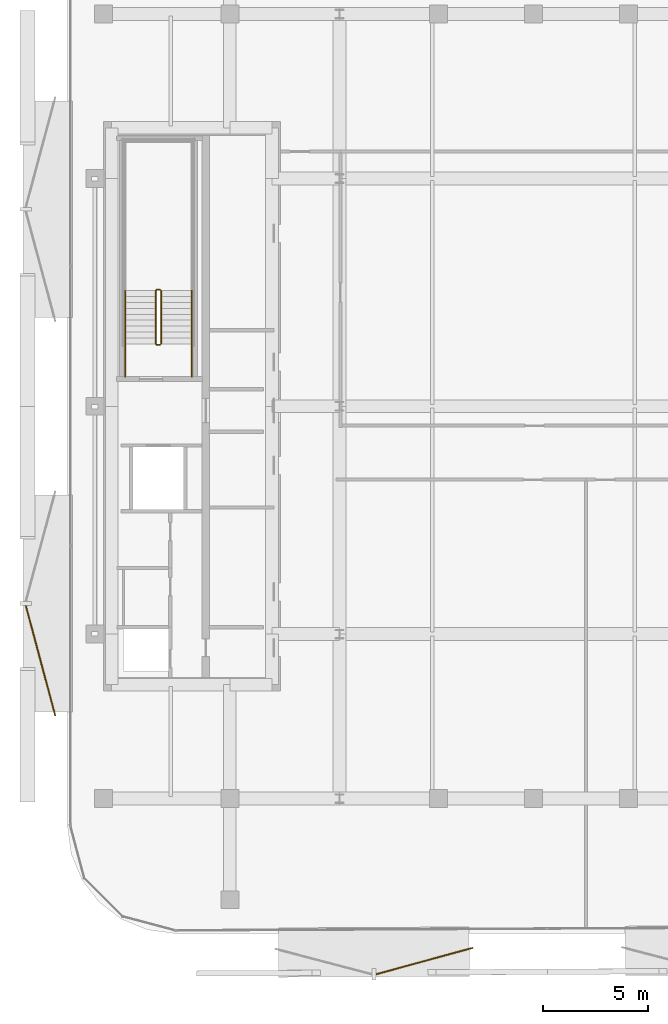
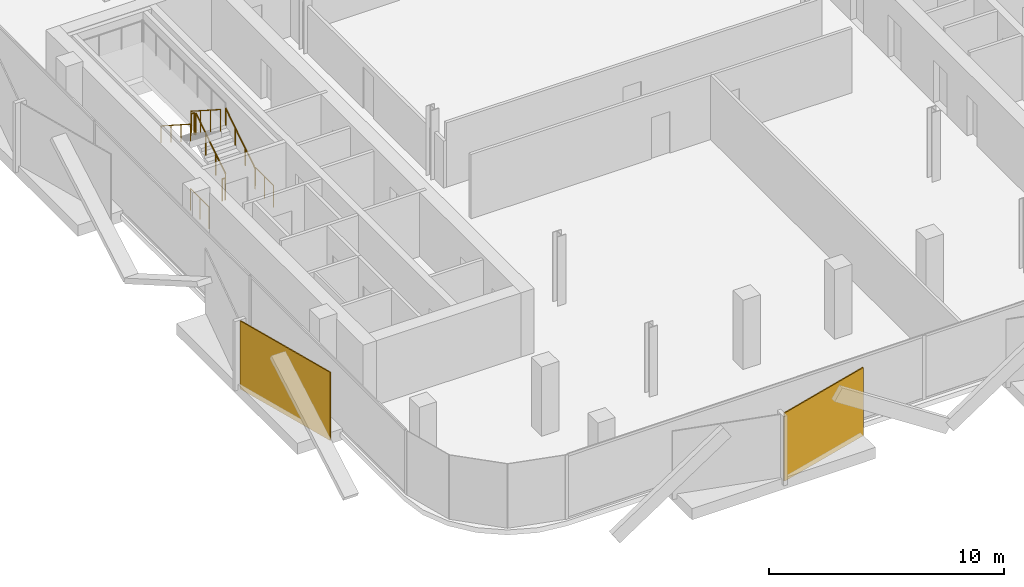
# One storey, part 9 of 11: 8 railings, 2 coverings.
"""IFC4 building model written with IfcOpenShell, lengths in metres."""

from ifc_helpers import new_model, si_unit, direction, frame, origin, origin_2d, place, context, subcontext, project, spatial, rectangle, circle, extrude, material, layer, layer_set, type_object, element, save


model = new_model("IFC4")

# Units and contexts
model_context = context("Model", 3, precision=1e-05, world=origin(), true_north=direction((0.0, 1.0)))
body_context = subcontext(model_context, "Body", "Model", "MODEL_VIEW")
ifc_project = project(units=[si_unit("LENGTHUNIT", "METRE"), si_unit("AREAUNIT", "SQUARE_METRE"), si_unit("VOLUMEUNIT", "CUBIC_METRE"), si_unit("PLANEANGLEUNIT", "RADIAN"), si_unit("MASSUNIT", "GRAM", prefix="KILO")], contexts=[model_context])

# Site, building, storey
site_placement = place(None, origin())
site = spatial("IfcSite", under=ifc_project, at=site_placement, CompositionType="ELEMENT")
building_placement = place(site_placement, origin())
building = spatial("IfcBuilding", under=site, at=building_placement, Name="Khairoan Windgate Tower", CompositionType="ELEMENT")
storey_placement = place(building_placement, frame((0.0, 0.0, 222.39990234375)))
storey = spatial("IfcBuildingStorey", under=building, at=storey_placement, Name="L51", CompositionType="ELEMENT", Elevation=222.39990234375)

# Coverings
ifc_material_1 = material(Name="Anodised Bronze Aluminium 6063-T6", Category="aluminium")
ifc_layer = layer(ifc_material_1, 0.054931640625, Name="Anodised Bronze Aluminium 6063-T6")
ifc_layer_set = layer_set([ifc_layer], Name="Anodised Bronze Aluminium 6063-T6")
covering_type = type_object("IfcCoveringType", Name="Perforated Bronze-Ceramic Folded Solar Screen Cladding BSC-1", PredefinedType="CLADDING", material=ifc_layer_set)
covering_1_placement = place(storey_placement, frame((-5.172607421875, -26.30615234375, -0.099853515625), z_axis=(0.0, 0.0, 1.0), x_axis=(-0.964649468762, -0.263536339841, 0.0)))
element("IfcCovering", 1, at=covering_1_placement, inside=storey, type_object=covering_type, Name="L51 Folded Bronze Solar Screen Facet 338L", PredefinedType="CLADDING", context=body_context, shape_type="SweptSolid", body=[
    extrude(rectangle(XDim=4.76708984375, YDim=0.054931640625, at=origin_2d()), origin(), (0.0, 0.0, 1.0), 3.5400390625),
])
covering_2_placement = place(storey_placement, frame((-23.378662109375, -12.052978515625, -0.099853515625), z_axis=(0.0, 0.0, 1.0), x_axis=(-0.258819045103, 0.965925826289, 0.0)))
element("IfcCovering", 2, at=covering_2_placement, inside=storey, type_object=covering_type, Name="L51 Folded Bronze Solar Screen Facet 339L", PredefinedType="CLADDING", context=body_context, shape_type="SweptSolid", body=[
    extrude(rectangle(XDim=5.419921875, YDim=0.054931640625, at=origin_2d()), origin(), (0.0, 0.0, 1.0), 3.5400390625),
])

# Railings
ifc_material_2 = material(Name="Anodised Bronze Aluminium 6063-T6", Category="aluminium")
railing_type_1 = type_object("IfcRailingType", Name="Stair Wall Handrail SHR-900", PredefinedType="HANDRAIL", material=ifc_material_2)
railing_1_placement = place(storey_placement, frame((-16.199951171875, 2.9599609375, 0.18017578125)))
element("IfcRailing", 3, at=railing_1_placement, inside=storey, type_object=railing_type_1, Name="L51 ST2 stair handrail 1", PredefinedType="HANDRAIL", context=body_context, shape_type="SweptSolid", body=[
    extrude(circle(Radius=0.02392578125, at=origin_2d()), frame((0.0, 0.0, 0.8759765625), z_axis=(0.0, 0.841199657755, 0.540724639528), x_axis=(-1.0, 0.0, 0.0)), (0.0, 0.0, 1.0), 2.995849609375),
    extrude(circle(Radius=0.02099609375, at=origin_2d()), origin(), (0.0, 0.0, 1.0), 0.851806640625),
    extrude(circle(Radius=0.02099609375, at=origin_2d()), frame((0.0, 0.840087890625, 0.5400390625)), (0.0, 0.0, 1.0), 0.851806640625),
    extrude(circle(Radius=0.02099609375, at=origin_2d()), frame((0.0, 1.679931640625, 1.079833984375)), (0.0, 0.0, 1.0), 0.851806640625),
    extrude(circle(Radius=0.02099609375, at=origin_2d()), frame((0.0, 2.52001953125, 1.619873046875)), (0.0, 0.0, 1.0), 0.851806640625),
])
railing_2_placement = place(storey_placement, frame((-19.3701171875, 5.47998046875, 1.97998046875)))
element("IfcRailing", 4, at=railing_2_placement, inside=storey, type_object=railing_type_1, Name="L51 ST2 stair handrail 2", PredefinedType="HANDRAIL", context=body_context, shape_type="SweptSolid", body=[
    extrude(circle(Radius=0.02392578125, at=origin_2d()), frame((0.0, 0.0, 0.8759765625), z_axis=(0.0, -0.841162588446, 0.540782303519), x_axis=(1.0, 0.0, 0.0)), (0.0, 0.0, 1.0), 2.995849609375),
    extrude(circle(Radius=0.02099609375, at=origin_2d()), origin(), (0.0, 0.0, 1.0), 0.851806640625),
    extrude(circle(Radius=0.02099609375, at=origin_2d()), frame((0.0, -0.840087890625, 0.5400390625)), (0.0, 0.0, 1.0), 0.851806640625),
    extrude(circle(Radius=0.02099609375, at=origin_2d()), frame((0.0, -1.679931640625, 1.080078125)), (0.0, 0.0, 1.0), 0.851806640625),
    extrude(circle(Radius=0.02099609375, at=origin_2d()), frame((0.0, -2.52001953125, 1.6201171875)), (0.0, 0.0, 1.0), 0.851806640625),
])
ifc_material_3 = material(Name="Steel S355", Category="steel")
railing_type_2 = type_object("IfcRailingType", Name="Stairwell Safety Guardrail SGR-1150", PredefinedType="GUARDRAIL", material=ifc_material_3)
railing_3_placement = place(storey_placement, frame((-17.659912109375, 2.9599609375, 0.18017578125)))
element("IfcRailing", 5, at=railing_3_placement, inside=storey, type_object=railing_type_2, Name="L51 ST2 stair guard 1", PredefinedType="GUARDRAIL", context=body_context, shape_type="SweptSolid", body=[
    extrude(circle(Radius=0.02392578125, at=origin_2d()), frame((0.0, 0.0, 1.1259765625), z_axis=(0.0, 0.841199657755, 0.540724639528), x_axis=(-1.0, 0.0, 0.0)), (0.0, 0.0, 1.0), 2.995849609375),
    extrude(circle(Radius=0.02099609375, at=origin_2d()), origin(), (0.0, 0.0, 1.0), 1.101806640625),
    extrude(circle(Radius=0.02099609375, at=origin_2d()), frame((0.0, 0.840087890625, 0.5400390625)), (0.0, 0.0, 1.0), 1.101806640625),
    extrude(circle(Radius=0.02099609375, at=origin_2d()), frame((0.0, 1.679931640625, 1.079833984375)), (0.0, 0.0, 1.0), 1.101806640625),
    extrude(circle(Radius=0.02099609375, at=origin_2d()), frame((0.0, 2.52001953125, 1.619873046875)), (0.0, 0.0, 1.0), 1.101806640625),
])
railing_4_placement = place(storey_placement, frame((-17.7099609375, 5.530029296875, 1.800048828125)))
element("IfcRailing", 6, at=railing_4_placement, inside=storey, type_object=railing_type_2, Name="L51 ST2 stair guard 2", PredefinedType="GUARDRAIL", context=body_context, shape_type="SweptSolid", body=[
    extrude(circle(Radius=0.02392578125, at=origin_2d()), frame((0.0, 0.0, 1.1259765625), z_axis=(-1.0, 0.0, 0.0), x_axis=(0.0, -1.0, 0.0)), (0.0, 0.0, 1.0), 0.150146484375),
    extrude(circle(Radius=0.02099609375, at=origin_2d()), origin(), (0.0, 0.0, 1.0), 1.101806640625),
    extrude(circle(Radius=0.02099609375, at=origin_2d()), frame((-0.150146484375, 0.0, 0.0)), (0.0, 0.0, 1.0), 1.101806640625),
])
railing_5_placement = place(storey_placement, frame((-17.909912109375, 5.47998046875, 1.97998046875)))
element("IfcRailing", 7, at=railing_5_placement, inside=storey, type_object=railing_type_2, Name="L51 ST2 stair guard 6", PredefinedType="GUARDRAIL", context=body_context, shape_type="SweptSolid", body=[
    extrude(circle(Radius=0.02392578125, at=origin_2d()), frame((0.0, 0.0, 1.1259765625), z_axis=(0.0, -0.841162588446, 0.540782303519), x_axis=(1.0, 0.0, 0.0)), (0.0, 0.0, 1.0), 2.995849609375),
    extrude(circle(Radius=0.02099609375, at=origin_2d()), origin(), (0.0, 0.0, 1.0), 1.101806640625),
    extrude(circle(Radius=0.02099609375, at=origin_2d()), frame((0.0, -0.840087890625, 0.5400390625)), (0.0, 0.0, 1.0), 1.101806640625),
    extrude(circle(Radius=0.02099609375, at=origin_2d()), frame((0.0, -1.679931640625, 1.080078125)), (0.0, 0.0, 1.0), 1.101806640625),
    extrude(circle(Radius=0.02099609375, at=origin_2d()), frame((0.0, -2.52001953125, 1.6201171875)), (0.0, 0.0, 1.0), 1.101806640625),
])
railing_6_placement = place(storey_placement, frame((-17.7099609375, 2.909912109375, 0.0)))
element("IfcRailing", 8, at=railing_6_placement, inside=storey, type_object=railing_type_2, Name="L51 ST2 stair guard 7", PredefinedType="GUARDRAIL", context=body_context, shape_type="SweptSolid", body=[
    extrude(circle(Radius=0.02392578125, at=origin_2d()), frame((0.0, 0.0, 1.1259765625), z_axis=(-1.0, 0.0, 0.0), x_axis=(0.0, -1.0, 0.0)), (0.0, 0.0, 1.0), 0.150146484375),
    extrude(circle(Radius=0.02099609375, at=origin_2d()), origin(), (0.0, 0.0, 1.0), 1.101806640625),
    extrude(circle(Radius=0.02099609375, at=origin_2d()), frame((-0.150146484375, 0.0, 0.0)), (0.0, 0.0, 1.0), 1.101806640625),
])
for number, where, name in (
    (9, (-16.199951171875, 1.39990234375, 0.0), "L51 ST2 stair guard 8"),
    (10, (-19.3701171875, 1.39990234375, 0.0), "L51 ST2 stair guard 9"),
):
    element("IfcRailing", number, at=place(storey_placement, frame(where)), inside=storey, type_object=railing_type_2, Name=name, PredefinedType="GUARDRAIL", context=body_context, shape_type="SweptSolid", body=[
        extrude(circle(Radius=0.02392578125, at=origin_2d()), frame((0.0, 0.0, 1.1259765625), z_axis=(0.0, 1.0, 0.0), x_axis=(-1.0, 0.0, 0.0)), (0.0, 0.0, 1.0), 1.56005859375),
        extrude(circle(Radius=0.02099609375, at=origin_2d()), origin(), (0.0, 0.0, 1.0), 1.101806640625),
        extrude(circle(Radius=0.02099609375, at=origin_2d()), frame((0.0, 0.780029296875, 0.0)), (0.0, 0.0, 1.0), 1.101806640625),
        extrude(circle(Radius=0.02099609375, at=origin_2d()), frame((0.0, 1.56005859375, 0.0)), (0.0, 0.0, 1.0), 1.101806640625),
    ])

save(model, "model.ifc")
